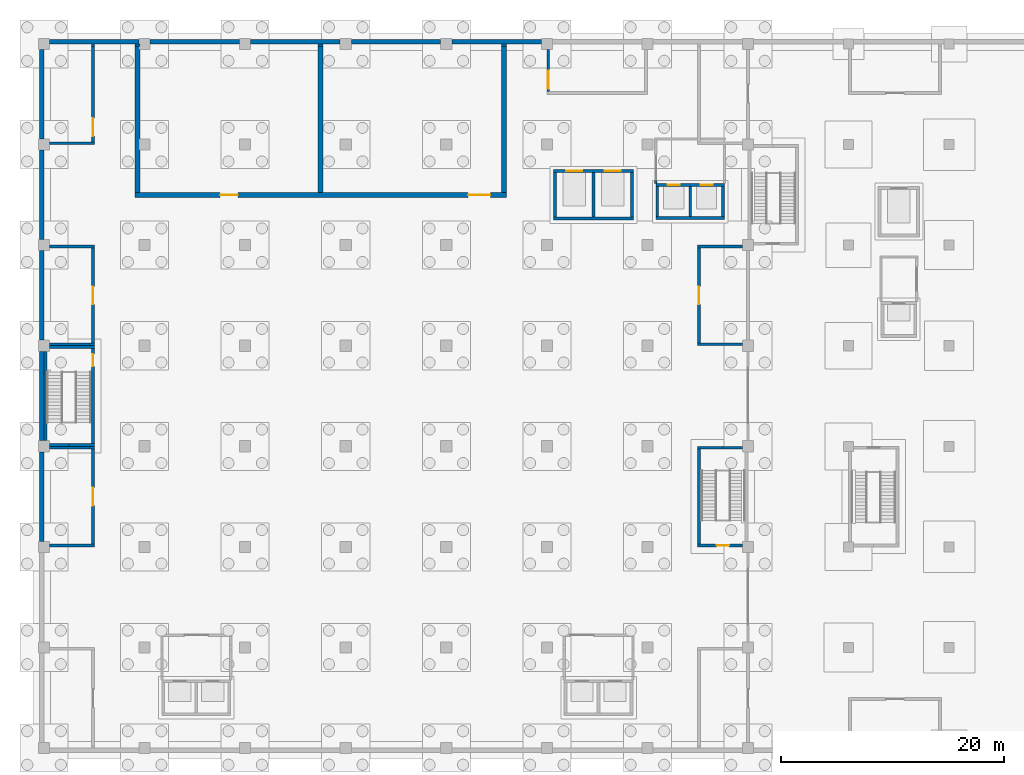
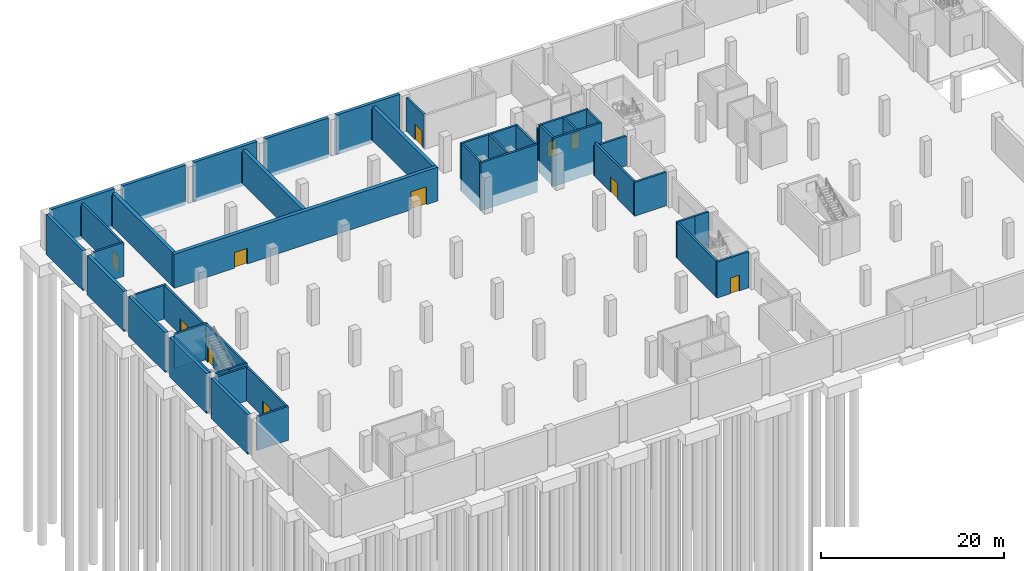
# One storey, part 9 of 17: 50 walls, 13 doors, 13 openings.
"""IFC4 building model written with IfcOpenShell, lengths in metres."""

from ifc_helpers import new_model, si_unit, direction, frame, frame_2d, origin, place, context, subcontext, project, spatial, rectangle, extrude, material, layer, layer_set, type_object, element, fill, save


model = new_model("IFC4")

# Units and contexts
model_context = context("Model", 3, precision=1e-05, world=origin(), true_north=direction((0.0, 1.0)))
body_context = subcontext(model_context, "Body", "Model", "MODEL_VIEW")
ifc_project = project(units=[si_unit("LENGTHUNIT", "METRE"), si_unit("AREAUNIT", "SQUARE_METRE"), si_unit("VOLUMEUNIT", "CUBIC_METRE"), si_unit("PLANEANGLEUNIT", "RADIAN"), si_unit("MASSUNIT", "GRAM", prefix="KILO")], contexts=[model_context])

# Site, building, storey
site_placement = place(None, origin())
site = spatial("IfcSite", under=ifc_project, at=site_placement, CompositionType="ELEMENT")
building_placement = place(site_placement, origin())
building = spatial("IfcBuilding", under=site, at=building_placement, Name="Guidao Yard Department Store", CompositionType="ELEMENT")
storey_placement = place(building_placement, frame((0.0, 0.0, -9.89990234375)))
storey = spatial("IfcBuildingStorey", under=building, at=storey_placement, Name="B2", CompositionType="ELEMENT", Elevation=-9.89990234375)

# Wall, openings, doors
ifc_material_1 = material(Name="Concrete C40", Category="concrete")
ifc_layer_1 = layer(ifc_material_1, 0.449951171875)
ifc_layer_set_1 = layer_set([ifc_layer_1], Name="Plant Room Wall 450 Concrete C40")
wall_type_1 = type_object("IfcWallType", Name="Plant Room Wall 450 Concrete C40", PredefinedType="SOLIDWALL", material=ifc_layer_set_1)
wall_1_placement = place(storey_placement, frame((8.125, 94.5, 0.0), z_axis=(0.0, 0.0, 1.0), x_axis=(1.0, 0.0, 0.0)))
wall_1 = element("IfcWall", 1, at=wall_1_placement, inside=storey, type_object=wall_type_1, Name="pt.wall.B2.0022", PredefinedType="SOLIDWALL", context=body_context, shape_type="SweptSolid", body=[
    extrude(rectangle(XDim=33.25, YDim=0.449951171875, at=frame_2d((16.625, 0.0))), origin(), (0.0, 0.0, 1.0), 4.5),
])
opening_1_placement = place(wall_1_placement, frame((7.625, 0.0, 0.0)))
opening_1 = element("IfcOpeningElement", 2, at=opening_1_placement, cuts=wall_1, Name="Opening B2-424", PredefinedType="OPENING", context=body_context, shape_type="SweptSolid", body=[
    extrude(rectangle(XDim=1.60009765625, YDim=2.10009765625, at=frame_2d((0.800048828125, 1.050048828125))), frame((0.0, 0.23486328125, 0.0), z_axis=(0.0, -1.0, 0.0), x_axis=(1.0, 0.0, 0.0)), (0.0, 0.0, 1.0), 0.469970703125),
])
opening_2_placement = place(wall_1_placement, frame((29.824951171875, 0.0, 0.0)))
opening_2 = element("IfcOpeningElement", 3, at=opening_2_placement, cuts=wall_1, Name="Opening B2-425", PredefinedType="OPENING", context=body_context, shape_type="SweptSolid", body=[
    extrude(rectangle(XDim=2.0, YDim=2.39990234375, at=frame_2d((1.0, 1.199951171875))), frame((0.0, 0.23486328125, 0.0), z_axis=(0.0, -1.0, 0.0), x_axis=(1.0, 0.0, 0.0)), (0.0, 0.0, 1.0), 0.469970703125),
])
ifc_material_2 = material(Name="Timber door leaf with Steel Q235 frame", Category="steel")
door_type_1 = type_object("IfcDoorType", Name="Door 1600 x 2100 FD60 Double Leaf", OperationType="DOUBLE_DOOR_SINGLE_SWING", PredefinedType="DOOR", material=ifc_material_2)
door_1_placement = place(opening_1_placement, origin())
door_1 = element("IfcDoor", 4, at=door_1_placement, inside=storey, type_object=door_type_1, Name="Door B2-424", OperationType="DOUBLE_DOOR_SINGLE_SWING", OverallHeight=2.10009765625, OverallWidth=1.60009765625, PredefinedType="DOOR", context=body_context, shape_type="SweptSolid", body=[
    extrude(rectangle(XDim=1.60009765625, YDim=2.10009765625, at=frame_2d((0.800048828125, 1.050048828125))), frame((0.0, 0.02490234375, 0.0), z_axis=(0.0, -1.0, 0.0), x_axis=(1.0, 0.0, 0.0)), (0.0, 0.0, 1.0), 0.050048828125),
])
fill(opening_1, door_1)
ifc_material_3 = material(Name="Timber door leaf with Steel Q235 frame", Category="steel")
door_type_2 = type_object("IfcDoorType", Name="Door 2000 x 2400 FD60 Double Leaf", OperationType="DOUBLE_DOOR_SINGLE_SWING", PredefinedType="DOOR", material=ifc_material_3)
door_2_placement = place(opening_2_placement, origin())
door_2 = element("IfcDoor", 5, at=door_2_placement, inside=storey, type_object=door_type_2, Name="Door B2-425", OperationType="DOUBLE_DOOR_SINGLE_SWING", OverallHeight=2.39990234375, OverallWidth=2.0, PredefinedType="DOOR", context=body_context, shape_type="SweptSolid", body=[
    extrude(rectangle(XDim=2.0, YDim=2.39990234375, at=frame_2d((1.0, 1.199951171875))), frame((0.0, 0.02490234375, 0.0), z_axis=(0.0, -1.0, 0.0), x_axis=(1.0, 0.0, 0.0)), (0.0, 0.0, 1.0), 0.050048828125),
])
fill(opening_2, door_2)

# Walls
wall_2_placement = place(storey_placement, frame((8.35009765625, 94.72509765625, 0.0), z_axis=(0.0, 0.0, 1.0), x_axis=(0.0, 1.0, 0.0)))
element("IfcWall", 6, at=wall_2_placement, inside=storey, type_object=wall_type_1, Name="pt.wall.B2.0035", PredefinedType="SOLIDWALL", context=body_context, shape_type="SweptSolid", body=[
    extrude(rectangle(XDim=13.074951171875, YDim=0.449951171875, at=frame_2d((6.53759765625, 0.0))), origin(), (0.0, 0.0, 1.0), 4.5),
])
wall_3_placement = place(storey_placement, frame((8.35009765625, 107.800048828125, 0.0), z_axis=(0.0, 0.0, 1.0), x_axis=(0.0, 1.0, 0.0)))
element("IfcWall", 7, at=wall_3_placement, inside=storey, type_object=wall_type_1, Name="pt.wall.B2.0035a", PredefinedType="SOLIDWALL", context=body_context, shape_type="SweptSolid", body=[
    extrude(rectangle(XDim=0.199951171875, YDim=0.449951171875, at=frame_2d((0.10009765625, 0.0))), origin(), (0.0, 0.0, 1.0), 4.0),
])
wall_4_placement = place(storey_placement, frame((24.75, 94.72509765625, 0.0), z_axis=(0.0, 0.0, 1.0), x_axis=(0.0, 1.0, 0.0)))
element("IfcWall", 8, at=wall_4_placement, inside=storey, type_object=wall_type_1, Name="pt.wall.B2.0038", PredefinedType="SOLIDWALL", context=body_context, shape_type="SweptSolid", body=[
    extrude(rectangle(XDim=13.074951171875, YDim=0.449951171875, at=frame_2d((6.53759765625, 0.0))), origin(), (0.0, 0.0, 1.0), 4.5),
])
wall_5_placement = place(storey_placement, frame((24.75, 107.800048828125, 0.0), z_axis=(0.0, 0.0, 1.0), x_axis=(0.0, 1.0, 0.0)))
element("IfcWall", 9, at=wall_5_placement, inside=storey, type_object=wall_type_1, Name="pt.wall.B2.0038a", PredefinedType="SOLIDWALL", context=body_context, shape_type="SweptSolid", body=[
    extrude(rectangle(XDim=0.199951171875, YDim=0.449951171875, at=frame_2d((0.10009765625, 0.0))), origin(), (0.0, 0.0, 1.0), 4.0),
])
wall_6_placement = place(storey_placement, frame((41.14990234375, 94.72509765625, 0.0), z_axis=(0.0, 0.0, 1.0), x_axis=(0.0, 1.0, 0.0)))
element("IfcWall", 10, at=wall_6_placement, inside=storey, type_object=wall_type_1, Name="pt.wall.B2.0039", PredefinedType="SOLIDWALL", context=body_context, shape_type="SweptSolid", body=[
    extrude(rectangle(XDim=13.074951171875, YDim=0.449951171875, at=frame_2d((6.53759765625, 0.0))), origin(), (0.0, 0.0, 1.0), 4.5),
])
wall_7_placement = place(storey_placement, frame((41.14990234375, 107.800048828125, 0.0), z_axis=(0.0, 0.0, 1.0), x_axis=(0.0, 1.0, 0.0)))
element("IfcWall", 11, at=wall_7_placement, inside=storey, type_object=wall_type_1, Name="pt.wall.B2.0039a", PredefinedType="SOLIDWALL", context=body_context, shape_type="SweptSolid", body=[
    extrude(rectangle(XDim=0.199951171875, YDim=0.449951171875, at=frame_2d((0.10009765625, 0.0))), origin(), (0.0, 0.0, 1.0), 4.0),
])
ifc_material_4 = material(Name="Concrete C40", Category="concrete")
ifc_layer_2 = layer(ifc_material_4, 0.39990234375)
ifc_layer_set_2 = layer_set([ifc_layer_2], Name="Retaining wall 400 C40")
wall_type_2 = type_object("IfcWallType", Name="Retaining wall 400 C40", PredefinedType="SOLIDWALL", material=ifc_layer_set_2)
for number, where, z_axis, x_axis, name in (
    (12, (-0.199951171875, 63.5, -0.5), (0.0, 0.0, 1.0), (0.0, 1.0, 0.0), "Retaining wall B2-041"),
    (13, (-0.199951171875, 72.5, -0.5), (0.0, 0.0, 1.0), (0.0, 1.0, 0.0), "Retaining wall B2-043"),
    (14, (-0.199951171875, 81.5, -0.5), (0.0, 0.0, 1.0), (0.0, 1.0, 0.0), "Retaining wall B2-045"),
    (15, (-0.199951171875, 90.5, -0.5), (0.0, 0.0, 1.0), (0.0, 1.0, 0.0), "Retaining wall B2-047"),
    (16, (-0.199951171875, 99.5, -0.5), (0.0, 0.0, 1.0), (0.0, 1.0, 0.0), "Retaining wall B2-049"),
    (17, (0.5, 108.199951171875, -0.5), (0.0, 0.0, 1.0), (1.0, 0.0, 0.0), "Retaining wall B2-050"),
    (18, (9.5, 108.199951171875, -0.5), (0.0, 0.0, 1.0), (1.0, 0.0, 0.0), "Retaining wall B2-051"),
    (19, (18.5, 108.199951171875, -0.5), (0.0, 0.0, 1.0), (1.0, 0.0, 0.0), "Retaining wall B2-052"),
    (20, (27.5, 108.199951171875, -0.5), (0.0, 0.0, 1.0), (1.0, 0.0, 0.0), "Retaining wall B2-053"),
    (21, (36.5, 108.199951171875, -0.5), (0.0, 0.0, 1.0), (1.0, 0.0, 0.0), "Retaining wall B2-054"),
):
    element("IfcWall", number, at=place(storey_placement, frame(where, z_axis=z_axis, x_axis=x_axis)), inside=storey, type_object=wall_type_2, Name=name, PredefinedType="SOLIDWALL", context=body_context, shape_type="SweptSolid", body=[
        extrude(rectangle(XDim=8.0, YDim=0.39990234375, at=frame_2d((4.0, 0.0))), origin(), (0.0, 0.0, 1.0), 5.2998046875),
    ])
ifc_material_5 = material(Name="Autoclaved aerated concrete block A3.5 B06", Category="concrete")
ifc_layer_3 = layer(ifc_material_5, 0.199951171875)
ifc_layer_set_3 = layer_set([ifc_layer_3], Name="Shaft Wall 200 Autoclaved Block EI 120")
wall_type_3 = type_object("IfcWallType", Name="Shaft Wall 200 Autoclaved Block EI 120", PredefinedType="PARTITIONING", material=ifc_layer_set_3)
wall_8_placement = place(storey_placement, frame((54.75, 95.5, 0.0), z_axis=(0.0, 0.0, 1.0), x_axis=(0.0, 1.0, 0.0)))
element("IfcWall", 22, at=wall_8_placement, inside=storey, type_object=wall_type_3, Name="pt.wall.B2.0044", PredefinedType="PARTITIONING", context=body_context, shape_type="SweptSolid", body=[
    extrude(rectangle(XDim=0.300048828125, YDim=0.199951171875, at=frame_2d((0.14990234375, 0.0))), origin(), (0.0, 0.0, 1.0), 4.199951171875),
])
ifc_material_6 = material(Name="Concrete C40", Category="concrete")
ifc_layer_4 = layer(ifc_material_6, 0.25)
ifc_layer_set_4 = layer_set([ifc_layer_4], Name="Support Wall 250 Concrete C40")
wall_type_4 = type_object("IfcWallType", Name="Support Wall 250 Concrete C40", PredefinedType="SOLIDWALL", material=ifc_layer_set_4)
for number, where, z_axis, x_axis, name in (
    (23, (0.5, 63.125, 0.0), (0.0, 0.0, 1.0), (1.0, 0.0, 0.0), "pt.wall.B2.0015"),
    (24, (0.5, 71.875, 0.0), (0.0, 0.0, 1.0), (1.0, 0.0, 0.0), "pt.wall.B2.0016"),
    (25, (0.5, 81.125, 0.0), (0.0, 0.0, 1.0), (1.0, 0.0, 0.0), "pt.wall.B2.0017"),
    (26, (58.5, 81.125, 0.0), (0.0, 0.0, 1.0), (1.0, 0.0, 0.0), "pt.wall.B2.0018"),
    (27, (0.5, 89.875, 0.0), (0.0, 0.0, 1.0), (1.0, 0.0, 0.0), "pt.wall.B2.0020"),
):
    element("IfcWall", number, at=place(storey_placement, frame(where, z_axis=z_axis, x_axis=x_axis)), inside=storey, type_object=wall_type_4, Name=name, PredefinedType="SOLIDWALL", context=body_context, shape_type="SweptSolid", body=[
        extrude(rectangle(XDim=4.0, YDim=0.25, at=frame_2d((2.0, 0.0))), origin(), (0.0, 0.0, 1.0), 4.5),
    ])
wall_9_placement = place(storey_placement, frame((58.5, 89.875, 0.0), z_axis=(0.0, 0.0, 1.0), x_axis=(1.0, 0.0, 0.0)))
element("IfcWall", 28, at=wall_9_placement, inside=storey, type_object=wall_type_4, Name="pt.wall.B2.0021", PredefinedType="SOLIDWALL", context=body_context, shape_type="SweptSolid", body=[
    extrude(rectangle(XDim=4.0, YDim=0.25, at=frame_2d((2.0, 0.0))), origin(), (0.0, 0.0, 1.0), 4.0),
])
wall_10_placement = place(storey_placement, frame((0.5, 99.125, 0.0), z_axis=(0.0, 0.0, 1.0), x_axis=(1.0, 0.0, 0.0)))
element("IfcWall", 29, at=wall_10_placement, inside=storey, type_object=wall_type_4, Name="pt.wall.B2.0023", PredefinedType="SOLIDWALL", context=body_context, shape_type="SweptSolid", body=[
    extrude(rectangle(XDim=4.0, YDim=0.25, at=frame_2d((2.0, 0.0))), origin(), (0.0, 0.0, 1.0), 4.5),
])

# Wall, opening, door
wall_11_placement = place(storey_placement, frame((4.375, 63.25, 0.0), z_axis=(0.0, 0.0, 1.0), x_axis=(0.0, 1.0, 0.0)))
wall_11 = element("IfcWall", 30, at=wall_11_placement, inside=storey, type_object=wall_type_4, Name="pt.wall.B2.0032", PredefinedType="SOLIDWALL", context=body_context, shape_type="SweptSolid", body=[
    extrude(rectangle(XDim=8.75, YDim=0.25, at=frame_2d((4.375, 0.0))), origin(), (0.0, 0.0, 1.0), 4.5),
])
opening_3_placement = place(wall_11_placement, frame((3.449951171875, 0.0, 0.0)))
opening_3 = element("IfcOpeningElement", 31, at=opening_3_placement, cuts=wall_11, Name="Opening B2-404", PredefinedType="OPENING", context=body_context, shape_type="SweptSolid", body=[
    extrude(rectangle(XDim=1.60009765625, YDim=2.10009765625, at=frame_2d((0.800048828125, 1.050048828125))), frame((0.0, 0.135009765625, 0.0), z_axis=(0.0, -1.0, 0.0), x_axis=(1.0, 0.0, 0.0)), (0.0, 0.0, 1.0), 0.27001953125),
])
door_3_placement = place(opening_3_placement, origin())
door_3 = element("IfcDoor", 32, at=door_3_placement, inside=storey, type_object=door_type_1, Name="Door B2-404", OperationType="DOUBLE_DOOR_SINGLE_SWING", OverallHeight=2.10009765625, OverallWidth=1.60009765625, PredefinedType="DOOR", context=body_context, shape_type="SweptSolid", body=[
    extrude(rectangle(XDim=1.60009765625, YDim=2.10009765625, at=frame_2d((0.800048828125, 1.050048828125))), frame((0.0, 0.02490234375, 0.0), z_axis=(0.0, -1.0, 0.0), x_axis=(1.0, 0.0, 0.0)), (0.0, 0.0, 1.0), 0.050048828125),
])
fill(opening_3, door_3)

wall_12_placement = place(storey_placement, frame((4.375, 81.0, 0.0), z_axis=(0.0, 0.0, 1.0), x_axis=(0.0, 1.0, 0.0)))
wall_12 = element("IfcWall", 33, at=wall_12_placement, inside=storey, type_object=wall_type_4, Name="pt.wall.B2.0033", PredefinedType="SOLIDWALL", context=body_context, shape_type="SweptSolid", body=[
    extrude(rectangle(XDim=8.75, YDim=0.25, at=frame_2d((4.375, 0.0))), origin(), (0.0, 0.0, 1.0), 4.5),
])
opening_4_placement = place(wall_12_placement, frame((3.699951171875, 0.0, 0.0)))
opening_4 = element("IfcOpeningElement", 34, at=opening_4_placement, cuts=wall_12, Name="Opening B2-406", PredefinedType="OPENING", context=body_context, shape_type="SweptSolid", body=[
    extrude(rectangle(XDim=1.60009765625, YDim=2.10009765625, at=frame_2d((0.800048828125, 1.050048828125))), frame((0.0, 0.135009765625, 0.0), z_axis=(0.0, -1.0, 0.0), x_axis=(1.0, 0.0, 0.0)), (0.0, 0.0, 1.0), 0.27001953125),
])
door_4_placement = place(opening_4_placement, origin())
door_4 = element("IfcDoor", 35, at=door_4_placement, inside=storey, type_object=door_type_1, Name="Door B2-406", OperationType="DOUBLE_DOOR_SINGLE_SWING", OverallHeight=2.10009765625, OverallWidth=1.60009765625, PredefinedType="DOOR", context=body_context, shape_type="SweptSolid", body=[
    extrude(rectangle(XDim=1.60009765625, YDim=2.10009765625, at=frame_2d((0.800048828125, 1.050048828125))), frame((0.0, 0.02490234375, 0.0), z_axis=(0.0, -1.0, 0.0), x_axis=(1.0, 0.0, 0.0)), (0.0, 0.0, 1.0), 0.050048828125),
])
fill(opening_4, door_4)

wall_13_placement = place(storey_placement, frame((4.375, 99.25, 0.0), z_axis=(0.0, 0.0, 1.0), x_axis=(0.0, 1.0, 0.0)))
wall_13 = element("IfcWall", 36, at=wall_13_placement, inside=storey, type_object=wall_type_4, Name="pt.wall.B2.0034", PredefinedType="SOLIDWALL", context=body_context, shape_type="SweptSolid", body=[
    extrude(rectangle(XDim=8.550048828125, YDim=0.25, at=frame_2d((4.27490234375, 0.0))), origin(), (0.0, 0.0, 1.0), 4.5),
])
opening_5_placement = place(wall_13_placement, frame((0.512451171875, 0.0, 0.0)))
opening_5 = element("IfcOpeningElement", 37, at=opening_5_placement, cuts=wall_13, Name="Opening B2-408", PredefinedType="OPENING", context=body_context, shape_type="SweptSolid", body=[
    extrude(rectangle(XDim=1.60009765625, YDim=2.10009765625, at=frame_2d((0.800048828125, 1.050048828125))), frame((0.0, 0.135009765625, 0.0), z_axis=(0.0, -1.0, 0.0), x_axis=(1.0, 0.0, 0.0)), (0.0, 0.0, 1.0), 0.27001953125),
])
door_5_placement = place(opening_5_placement, origin())
door_5 = element("IfcDoor", 38, at=door_5_placement, inside=storey, type_object=door_type_1, Name="Door B2-408", OperationType="DOUBLE_DOOR_SINGLE_SWING", OverallHeight=2.10009765625, OverallWidth=1.60009765625, PredefinedType="DOOR", context=body_context, shape_type="SweptSolid", body=[
    extrude(rectangle(XDim=1.60009765625, YDim=2.10009765625, at=frame_2d((0.800048828125, 1.050048828125))), frame((0.0, 0.02490234375, 0.0), z_axis=(0.0, -1.0, 0.0), x_axis=(1.0, 0.0, 0.0)), (0.0, 0.0, 1.0), 0.050048828125),
])
fill(opening_5, door_5)

# Wall
wall_14_placement = place(storey_placement, frame((4.375, 107.800048828125, 0.0), z_axis=(0.0, 0.0, 1.0), x_axis=(0.0, 1.0, 0.0)))
element("IfcWall", 39, at=wall_14_placement, inside=storey, type_object=wall_type_4, Name="pt.wall.B2.0034a", PredefinedType="SOLIDWALL", context=body_context, shape_type="SweptSolid", body=[
    extrude(rectangle(XDim=0.199951171875, YDim=0.25, at=frame_2d((0.10009765625, 0.0))), origin(), (0.0, 0.0, 1.0), 4.0),
])

# Wall, opening, door
wall_15_placement = place(storey_placement, frame((45.125, 103.75, 0.0), z_axis=(0.0, 0.0, 1.0), x_axis=(0.0, 1.0, 0.0)))
wall_15 = element("IfcWall", 40, at=wall_15_placement, inside=storey, type_object=wall_type_4, Name="pt.wall.B2.0040", PredefinedType="SOLIDWALL", context=body_context, shape_type="SweptSolid", body=[
    extrude(rectangle(XDim=3.75, YDim=0.25, at=frame_2d((1.875, 0.0))), origin(), (0.0, 0.0, 1.0), 4.5),
])
opening_6_placement = place(wall_15_placement, frame((1.862548828125, 0.0, 0.0), z_axis=(0.0, 0.0, 1.0), x_axis=(-1.0, 0.0, 0.0)))
opening_6 = element("IfcOpeningElement", 41, at=opening_6_placement, cuts=wall_15, Name="Opening B2-410", PredefinedType="OPENING", context=body_context, shape_type="SweptSolid", body=[
    extrude(rectangle(XDim=1.60009765625, YDim=2.10009765625, at=frame_2d((0.800048828125, 1.050048828125))), frame((0.0, 0.135009765625, 0.0), z_axis=(0.0, -1.0, 0.0), x_axis=(1.0, 0.0, 0.0)), (0.0, 0.0, 1.0), 0.27001953125),
])
door_6_placement = place(opening_6_placement, origin())
door_6 = element("IfcDoor", 42, at=door_6_placement, inside=storey, type_object=door_type_1, Name="Door B2-410", OperationType="DOUBLE_DOOR_SINGLE_SWING", OverallHeight=2.10009765625, OverallWidth=1.60009765625, PredefinedType="DOOR", context=body_context, shape_type="SweptSolid", body=[
    extrude(rectangle(XDim=1.60009765625, YDim=2.10009765625, at=frame_2d((0.800048828125, 1.050048828125))), frame((0.0, 0.02490234375, 0.0), z_axis=(0.0, -1.0, 0.0), x_axis=(1.0, 0.0, 0.0)), (0.0, 0.0, 1.0), 0.050048828125),
])
fill(opening_6, door_6)

wall_16_placement = place(storey_placement, frame((58.625, 81.25, 0.0), z_axis=(0.0, 0.0, 1.0), x_axis=(0.0, 1.0, 0.0)))
wall_16 = element("IfcWall", 43, at=wall_16_placement, inside=storey, type_object=wall_type_4, Name="pt.wall.B2.0046", PredefinedType="SOLIDWALL", context=body_context, shape_type="SweptSolid", body=[
    extrude(rectangle(XDim=8.5, YDim=0.25, at=frame_2d((4.25, 0.0))), origin(), (0.0, 0.0, 1.0), 4.5),
])
opening_7_placement = place(wall_16_placement, frame((5.050048828125, 0.0, 0.0), z_axis=(0.0, 0.0, 1.0), x_axis=(-1.0, 0.0, 0.0)))
opening_7 = element("IfcOpeningElement", 44, at=opening_7_placement, cuts=wall_16, Name="Opening B2-407", PredefinedType="OPENING", context=body_context, shape_type="SweptSolid", body=[
    extrude(rectangle(XDim=1.60009765625, YDim=2.10009765625, at=frame_2d((0.800048828125, 1.050048828125))), frame((0.0, 0.135009765625, 0.0), z_axis=(0.0, -1.0, 0.0), x_axis=(1.0, 0.0, 0.0)), (0.0, 0.0, 1.0), 0.27001953125),
])
door_7_placement = place(opening_7_placement, origin())
door_7 = element("IfcDoor", 45, at=door_7_placement, inside=storey, type_object=door_type_1, Name="Door B2-407", OperationType="DOUBLE_DOOR_SINGLE_SWING", OverallHeight=2.10009765625, OverallWidth=1.60009765625, PredefinedType="DOOR", context=body_context, shape_type="SweptSolid", body=[
    extrude(rectangle(XDim=1.60009765625, YDim=2.10009765625, at=frame_2d((0.800048828125, 1.050048828125))), frame((0.0, 0.02490234375, 0.0), z_axis=(0.0, -1.0, 0.0), x_axis=(1.0, 0.0, 0.0)), (0.0, 0.0, 1.0), 0.050048828125),
])
fill(opening_7, door_7)

# Walls
ifc_material_7 = material(Name="Concrete C40", Category="concrete")
ifc_layer_5 = layer(ifc_material_7, 0.25)
ifc_layer_set_5 = layer_set([ifc_layer_5], Name="Wall RC 250 C40 stair and shaft")
wall_type_5 = type_object("IfcWallType", Name="Wall RC 250 C40 stair and shaft", PredefinedType="SHEAR", material=ifc_layer_set_5)
wall_17_placement = place(storey_placement, frame((0.5, 72.125, 0.0), z_axis=(0.0, 0.0, 1.0), x_axis=(1.0, 0.0, 0.0)))
element("IfcWall", 46, at=wall_17_placement, inside=storey, type_object=wall_type_5, Name="Stair wall BSH1", PredefinedType="SHEAR", context=body_context, shape_type="SweptSolid", body=[
    extrude(rectangle(XDim=1.75, YDim=0.25, at=frame_2d((0.875, 0.0))), origin(), (0.0, 0.0, 1.0), 4.7998046875),
])
wall_18_placement = place(storey_placement, frame((2.25, 72.125, 0.0), z_axis=(0.0, 0.0, 1.0), x_axis=(1.0, 0.0, 0.0)))
element("IfcWall", 47, at=wall_18_placement, inside=storey, type_object=wall_type_5, Name="Stair wall BSH1", PredefinedType="SHEAR", context=body_context, shape_type="SweptSolid", body=[
    extrude(rectangle(XDim=2.25, YDim=0.25, at=frame_2d((1.125, 0.0))), origin(), (0.0, 0.0, 1.0), 4.7998046875),
])
wall_19_placement = place(storey_placement, frame((0.5, 80.875, 0.0), z_axis=(0.0, 0.0, 1.0), x_axis=(1.0, 0.0, 0.0)))
element("IfcWall", 48, at=wall_19_placement, inside=storey, type_object=wall_type_5, Name="Stair wall BSH1", PredefinedType="SHEAR", context=body_context, shape_type="SweptSolid", body=[
    extrude(rectangle(XDim=4.0, YDim=0.25, at=frame_2d((2.0, 0.0))), origin(), (0.0, 0.0, 1.0), 4.7998046875),
])
wall_20_placement = place(storey_placement, frame((0.125, 72.5, 0.0), z_axis=(0.0, 0.0, 1.0), x_axis=(0.0, 1.0, 0.0)))
element("IfcWall", 49, at=wall_20_placement, inside=storey, type_object=wall_type_5, Name="Stair wall BSH1", PredefinedType="SHEAR", context=body_context, shape_type="SweptSolid", body=[
    extrude(rectangle(XDim=8.0, YDim=0.25, at=frame_2d((4.0, 0.0))), origin(), (0.0, 0.0, 1.0), 4.7998046875),
])

# Wall, opening, door
wall_21_placement = place(storey_placement, frame((4.375, 72.25, 0.0), z_axis=(0.0, 0.0, 1.0), x_axis=(0.0, 1.0, 0.0)))
wall_21 = element("IfcWall", 50, at=wall_21_placement, inside=storey, type_object=wall_type_5, Name="Stair wall BSH1", PredefinedType="SHEAR", context=body_context, shape_type="SweptSolid", body=[
    extrude(rectangle(XDim=8.5, YDim=0.25, at=frame_2d((4.25, 0.0))), origin(), (0.0, 0.0, 1.0), 4.7998046875),
])
opening_8_placement = place(wall_21_placement, frame((8.0, 0.0, 0.0), z_axis=(0.0, 0.0, 1.0), x_axis=(-1.0, 0.0, 0.0)))
opening_8 = element("IfcOpeningElement", 51, at=opening_8_placement, cuts=wall_21, Name="Opening B2-802", PredefinedType="OPENING", context=body_context, shape_type="SweptSolid", body=[
    extrude(rectangle(XDim=1.10009765625, YDim=2.10009765625, at=frame_2d((0.550048828125, 1.050048828125))), frame((0.0, 0.135009765625, 0.0), z_axis=(0.0, -1.0, 0.0), x_axis=(1.0, 0.0, 0.0)), (0.0, 0.0, 1.0), 0.27001953125),
])
ifc_material_8 = material(Name="Steel Q235", Category="steel")
door_type_3 = type_object("IfcDoorType", Name="Door fire-resisting 1100 x 2100 FD60", OperationType="SINGLE_SWING_LEFT", PredefinedType="DOOR", material=ifc_material_8)
door_8_placement = place(opening_8_placement, origin())
door_8 = element("IfcDoor", 52, at=door_8_placement, inside=storey, type_object=door_type_3, Name="Basement stair H1 door B2", OperationType="SINGLE_SWING_LEFT", OverallHeight=2.10009765625, OverallWidth=1.10009765625, PredefinedType="DOOR", context=body_context, shape_type="SweptSolid", body=[
    extrude(rectangle(XDim=1.10009765625, YDim=2.10009765625, at=frame_2d((0.550048828125, 1.050048828125))), frame((0.0, 0.02490234375, 0.0), z_axis=(0.0, -1.0, 0.0), x_axis=(1.0, 0.0, 0.0)), (0.0, 0.0, 1.0), 0.050048828125),
])
fill(opening_8, door_8)

wall_22_placement = place(storey_placement, frame((58.5, 63.125, 0.0), z_axis=(0.0, 0.0, 1.0), x_axis=(1.0, 0.0, 0.0)))
wall_22 = element("IfcWall", 53, at=wall_22_placement, inside=storey, type_object=wall_type_5, Name="Stair wall BSH3", PredefinedType="SHEAR", context=body_context, shape_type="SweptSolid", body=[
    extrude(rectangle(XDim=4.0, YDim=0.25, at=frame_2d((2.0, 0.0))), origin(), (0.0, 0.0, 1.0), 4.7998046875),
])
opening_9_placement = place(wall_22_placement, frame((1.699951171875, 0.0, 0.0)))
opening_9 = element("IfcOpeningElement", 54, at=opening_9_placement, cuts=wall_22, Name="Opening B2-804", PredefinedType="OPENING", context=body_context, shape_type="SweptSolid", body=[
    extrude(rectangle(XDim=1.10009765625, YDim=2.10009765625, at=frame_2d((0.550048828125, 1.050048828125))), frame((0.0, 0.135009765625, 0.0), z_axis=(0.0, -1.0, 0.0), x_axis=(1.0, 0.0, 0.0)), (0.0, 0.0, 1.0), 0.27001953125),
])
door_9_placement = place(opening_9_placement, origin())
door_9 = element("IfcDoor", 55, at=door_9_placement, inside=storey, type_object=door_type_3, Name="Basement stair H3 door B2", OperationType="SINGLE_SWING_RIGHT", OverallHeight=2.10009765625, OverallWidth=1.10009765625, PredefinedType="DOOR", context=body_context, shape_type="SweptSolid", body=[
    extrude(rectangle(XDim=1.10009765625, YDim=2.10009765625, at=frame_2d((0.550048828125, 1.050048828125))), frame((0.0, 0.02490234375, 0.0), z_axis=(0.0, -1.0, 0.0), x_axis=(1.0, 0.0, 0.0)), (0.0, 0.0, 1.0), 0.050048828125),
])
fill(opening_9, door_9)

# Walls
wall_23_placement = place(storey_placement, frame((58.5, 71.875, 0.0), z_axis=(0.0, 0.0, 1.0), x_axis=(1.0, 0.0, 0.0)))
element("IfcWall", 56, at=wall_23_placement, inside=storey, type_object=wall_type_5, Name="Stair wall BSH3", PredefinedType="SHEAR", context=body_context, shape_type="SweptSolid", body=[
    extrude(rectangle(XDim=2.25, YDim=0.25, at=frame_2d((1.125, 0.0))), origin(), (0.0, 0.0, 1.0), 4.7998046875),
])
wall_24_placement = place(storey_placement, frame((60.75, 71.875, 0.0), z_axis=(0.0, 0.0, 1.0), x_axis=(1.0, 0.0, 0.0)))
element("IfcWall", 57, at=wall_24_placement, inside=storey, type_object=wall_type_5, Name="Stair wall BSH3", PredefinedType="SHEAR", context=body_context, shape_type="SweptSolid", body=[
    extrude(rectangle(XDim=1.75, YDim=0.25, at=frame_2d((0.875, 0.0))), origin(), (0.0, 0.0, 1.0), 4.7998046875),
])
wall_25_placement = place(storey_placement, frame((58.625, 63.25, 0.0), z_axis=(0.0, 0.0, 1.0), x_axis=(0.0, 1.0, 0.0)))
element("IfcWall", 58, at=wall_25_placement, inside=storey, type_object=wall_type_5, Name="Stair wall BSH3", PredefinedType="SHEAR", context=body_context, shape_type="SweptSolid", body=[
    extrude(rectangle(XDim=8.5, YDim=0.25, at=frame_2d((4.25, 0.0))), origin(), (0.0, 0.0, 1.0), 4.7998046875),
])

# Wall, openings, doors
wall_26_placement = place(storey_placement, frame((45.60009765625, 96.625, -1.60009765625), z_axis=(0.0, 0.0, 1.0), x_axis=(1.0, 0.0, 0.0)))
wall_26 = element("IfcWall", 59, at=wall_26_placement, inside=storey, type_object=wall_type_5, Name="Lift shaft wall HG1 to HG2", PredefinedType="SHEAR", context=body_context, shape_type="SweptSolid", body=[
    extrude(rectangle(XDim=7.14990234375, YDim=0.25, at=frame_2d((3.574951171875, 0.0))), origin(), (0.0, 0.0, 1.0), 6.39990234375),
])
opening_10_placement = place(wall_26_placement, frame((1.14990234375, 0.0, 1.60009765625)))
opening_10 = element("IfcOpeningElement", 60, at=opening_10_placement, cuts=wall_26, Name="Opening LD-HG1-B2", PredefinedType="OPENING", context=body_context, shape_type="SweptSolid", body=[
    extrude(rectangle(XDim=1.39990234375, YDim=2.10009765625, at=frame_2d((0.699951171875, 1.050048828125))), frame((0.0, 0.135009765625, 0.0), z_axis=(0.0, -1.0, 0.0), x_axis=(1.0, 0.0, 0.0)), (0.0, 0.0, 1.0), 0.27001953125),
])
opening_11_placement = place(wall_26_placement, frame((4.60009765625, 0.0, 1.60009765625)))
opening_11 = element("IfcOpeningElement", 61, at=opening_11_placement, cuts=wall_26, Name="Opening LD-HG2-B2", PredefinedType="OPENING", context=body_context, shape_type="SweptSolid", body=[
    extrude(rectangle(XDim=1.39990234375, YDim=2.10009765625, at=frame_2d((0.699951171875, 1.050048828125))), frame((0.0, 0.135009765625, 0.0), z_axis=(0.0, -1.0, 0.0), x_axis=(1.0, 0.0, 0.0)), (0.0, 0.0, 1.0), 0.27001953125),
])
ifc_material_9 = material(Name="Stainless steel 06Cr19Ni10", Category="steel")
door_type_4 = type_object("IfcDoorType", Name="Lift landing door fire-resisting sliding 1400 x 2100", OperationType="DOUBLE_DOOR_SLIDING", PredefinedType="DOOR", material=ifc_material_9)
door_10_placement = place(opening_10_placement, origin())
door_10 = element("IfcDoor", 62, at=door_10_placement, inside=storey, type_object=door_type_4, Name="Lift landing door HG1 B2", OperationType="DOUBLE_DOOR_SLIDING", OverallHeight=2.10009765625, OverallWidth=1.39990234375, PredefinedType="DOOR", context=body_context, shape_type="SweptSolid", body=[
    extrude(rectangle(XDim=1.39990234375, YDim=2.10009765625, at=frame_2d((0.699951171875, 1.050048828125))), frame((0.0, 0.02490234375, 0.0), z_axis=(0.0, -1.0, 0.0), x_axis=(1.0, 0.0, 0.0)), (0.0, 0.0, 1.0), 0.050048828125),
])
fill(opening_10, door_10)
door_11_placement = place(opening_11_placement, origin())
door_11 = element("IfcDoor", 63, at=door_11_placement, inside=storey, type_object=door_type_4, Name="Lift landing door HG2 B2", OperationType="DOUBLE_DOOR_SLIDING", OverallHeight=2.10009765625, OverallWidth=1.39990234375, PredefinedType="DOOR", context=body_context, shape_type="SweptSolid", body=[
    extrude(rectangle(XDim=1.39990234375, YDim=2.10009765625, at=frame_2d((0.699951171875, 1.050048828125))), frame((0.0, 0.02490234375, 0.0), z_axis=(0.0, -1.0, 0.0), x_axis=(1.0, 0.0, 0.0)), (0.0, 0.0, 1.0), 0.050048828125),
])
fill(opening_11, door_11)

# Walls
wall_27_placement = place(storey_placement, frame((45.60009765625, 92.375, -1.60009765625), z_axis=(0.0, 0.0, 1.0), x_axis=(1.0, 0.0, 0.0)))
element("IfcWall", 64, at=wall_27_placement, inside=storey, type_object=wall_type_5, Name="Lift shaft wall HG1 to HG2", PredefinedType="SHEAR", context=body_context, shape_type="SweptSolid", body=[
    extrude(rectangle(XDim=7.14990234375, YDim=0.25, at=frame_2d((3.574951171875, 0.0))), origin(), (0.0, 0.0, 1.0), 6.39990234375),
])
for number, where, z_axis, x_axis, name in (
    (65, (45.72509765625, 92.5, -1.60009765625), (0.0, 0.0, 1.0), (0.0, 1.0, 0.0), "Lift shaft wall HG1 to HG2"),
    (66, (49.175048828125, 92.5, -1.60009765625), (0.0, 0.0, 1.0), (0.0, 1.0, 0.0), "Lift shaft wall HG1 to HG2"),
    (67, (52.625, 92.5, -1.60009765625), (0.0, 0.0, 1.0), (0.0, 1.0, 0.0), "Lift shaft wall HG1 to HG2"),
):
    element("IfcWall", number, at=place(storey_placement, frame(where, z_axis=z_axis, x_axis=x_axis)), inside=storey, type_object=wall_type_5, Name=name, PredefinedType="SHEAR", context=body_context, shape_type="SweptSolid", body=[
        extrude(rectangle(XDim=4.0, YDim=0.25, at=frame_2d((2.0, 0.0))), origin(), (0.0, 0.0, 1.0), 6.39990234375),
    ])

# Wall, openings, doors
wall_28_placement = place(storey_placement, frame((54.75, 95.375, -1.60009765625), z_axis=(0.0, 0.0, 1.0), x_axis=(1.0, 0.0, 0.0)))
wall_28 = element("IfcWall", 68, at=wall_28_placement, inside=storey, type_object=wall_type_5, Name="Lift shaft wall HF1 to HF2", PredefinedType="SHEAR", context=body_context, shape_type="SweptSolid", body=[
    extrude(rectangle(XDim=6.14990234375, YDim=0.25, at=frame_2d((3.074951171875, 0.0))), origin(), (0.0, 0.0, 1.0), 6.39990234375),
])
opening_12_placement = place(wall_28_placement, frame((1.050048828125, 0.0, 1.60009765625)))
opening_12 = element("IfcOpeningElement", 69, at=opening_12_placement, cuts=wall_28, Name="Opening LD-HF1-B2", PredefinedType="OPENING", context=body_context, shape_type="SweptSolid", body=[
    extrude(rectangle(XDim=1.10009765625, YDim=2.10009765625, at=frame_2d((0.550048828125, 1.050048828125))), frame((0.0, 0.135009765625, 0.0), z_axis=(0.0, -1.0, 0.0), x_axis=(1.0, 0.0, 0.0)), (0.0, 0.0, 1.0), 0.27001953125),
])
opening_13_placement = place(wall_28_placement, frame((4.0, 0.0, 1.60009765625)))
opening_13 = element("IfcOpeningElement", 70, at=opening_13_placement, cuts=wall_28, Name="Opening LD-HF2-B2", PredefinedType="OPENING", context=body_context, shape_type="SweptSolid", body=[
    extrude(rectangle(XDim=1.10009765625, YDim=2.10009765625, at=frame_2d((0.550048828125, 1.050048828125))), frame((0.0, 0.135009765625, 0.0), z_axis=(0.0, -1.0, 0.0), x_axis=(1.0, 0.0, 0.0)), (0.0, 0.0, 1.0), 0.27001953125),
])
ifc_material_10 = material(Name="Stainless steel 06Cr19Ni10", Category="steel")
door_type_5 = type_object("IfcDoorType", Name="Lift landing door fire-resisting sliding 1100 x 2100", OperationType="DOUBLE_DOOR_SLIDING", PredefinedType="DOOR", material=ifc_material_10)
door_12_placement = place(opening_12_placement, origin())
door_12 = element("IfcDoor", 71, at=door_12_placement, inside=storey, type_object=door_type_5, Name="Lift landing door HF1 B2", OperationType="DOUBLE_DOOR_SLIDING", OverallHeight=2.10009765625, OverallWidth=1.10009765625, PredefinedType="DOOR", context=body_context, shape_type="SweptSolid", body=[
    extrude(rectangle(XDim=1.10009765625, YDim=2.10009765625, at=frame_2d((0.550048828125, 1.050048828125))), frame((0.0, 0.02490234375, 0.0), z_axis=(0.0, -1.0, 0.0), x_axis=(1.0, 0.0, 0.0)), (0.0, 0.0, 1.0), 0.050048828125),
])
fill(opening_12, door_12)
door_13_placement = place(opening_13_placement, origin())
door_13 = element("IfcDoor", 72, at=door_13_placement, inside=storey, type_object=door_type_5, Name="Lift landing door HF2 B2", OperationType="DOUBLE_DOOR_SLIDING", OverallHeight=2.10009765625, OverallWidth=1.10009765625, PredefinedType="DOOR", context=body_context, shape_type="SweptSolid", body=[
    extrude(rectangle(XDim=1.10009765625, YDim=2.10009765625, at=frame_2d((0.550048828125, 1.050048828125))), frame((0.0, 0.02490234375, 0.0), z_axis=(0.0, -1.0, 0.0), x_axis=(1.0, 0.0, 0.0)), (0.0, 0.0, 1.0), 0.050048828125),
])
fill(opening_13, door_13)

# Walls
wall_29_placement = place(storey_placement, frame((54.75, 92.425048828125, -1.60009765625), z_axis=(0.0, 0.0, 1.0), x_axis=(1.0, 0.0, 0.0)))
element("IfcWall", 73, at=wall_29_placement, inside=storey, type_object=wall_type_5, Name="Lift shaft wall HF1 to HF2", PredefinedType="SHEAR", context=body_context, shape_type="SweptSolid", body=[
    extrude(rectangle(XDim=6.14990234375, YDim=0.25, at=frame_2d((3.074951171875, 0.0))), origin(), (0.0, 0.0, 1.0), 6.39990234375),
])
for number, where, z_axis, x_axis, name in (
    (74, (54.875, 92.550048828125, -1.60009765625), (0.0, 0.0, 1.0), (0.0, 1.0, 0.0), "Lift shaft wall HF1 to HF2"),
    (75, (57.824951171875, 92.550048828125, -1.60009765625), (0.0, 0.0, 1.0), (0.0, 1.0, 0.0), "Lift shaft wall HF1 to HF2"),
    (76, (60.77490234375, 92.550048828125, -1.60009765625), (0.0, 0.0, 1.0), (0.0, 1.0, 0.0), "Lift shaft wall HF1 to HF2"),
):
    element("IfcWall", number, at=place(storey_placement, frame(where, z_axis=z_axis, x_axis=x_axis)), inside=storey, type_object=wall_type_5, Name=name, PredefinedType="SHEAR", context=body_context, shape_type="SweptSolid", body=[
        extrude(rectangle(XDim=2.699951171875, YDim=0.25, at=frame_2d((1.35009765625, 0.0))), origin(), (0.0, 0.0, 1.0), 6.39990234375),
    ])

save(model, "model.ifc")
